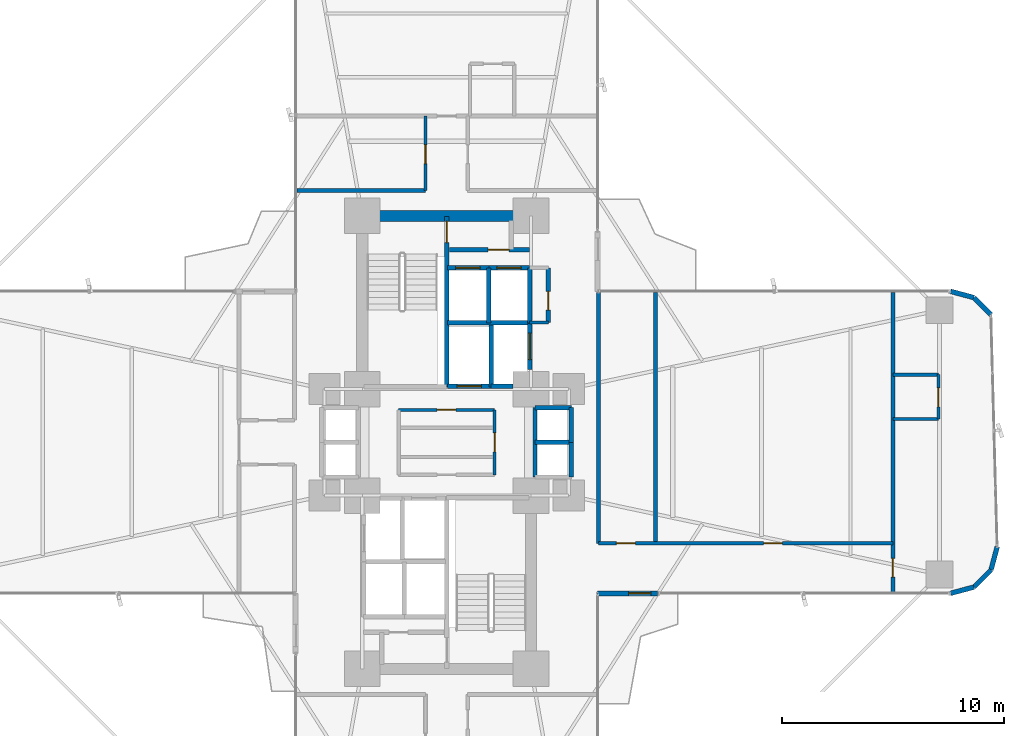
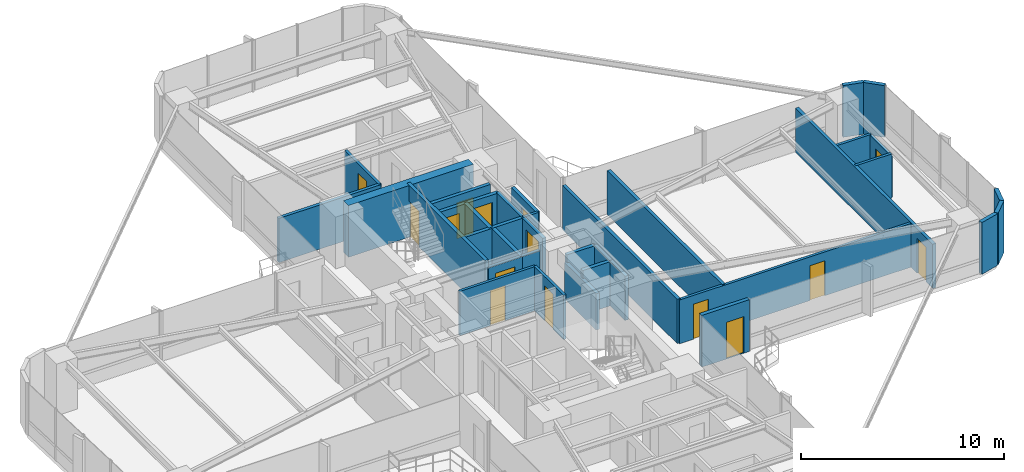
# One storey, part 23 of 25: 36 walls, 15 doors, 15 openings.
"""IFC4 building model written with IfcOpenShell, lengths in metres."""

from ifc_helpers import new_model, si_unit, direction, frame, frame_2d, origin, origin_2d, place, context, subcontext, project, spatial, rectangle, extrude, source, transform, mapped, material, layer, layer_set, type_object, element, fill, save


model = new_model("IFC4")

# Units and contexts
model_context = context("Model", 3, precision=1e-05, world=origin(), true_north=direction((0.0, 1.0)))
body_context = subcontext(model_context, "Body", "Model", "MODEL_VIEW")
ifc_project = project(units=[si_unit("LENGTHUNIT", "METRE"), si_unit("AREAUNIT", "SQUARE_METRE"), si_unit("VOLUMEUNIT", "CUBIC_METRE"), si_unit("PLANEANGLEUNIT", "RADIAN"), si_unit("MASSUNIT", "GRAM", prefix="KILO")], contexts=[model_context])

# Site, building, storey
site_placement = place(None, origin())
site = spatial("IfcSite", under=ifc_project, at=site_placement, CompositionType="ELEMENT")
building_placement = place(site_placement, origin())
building = spatial("IfcBuilding", under=site, at=building_placement, Name="Sahyath Konkavel Grand Hotel", CompositionType="ELEMENT")
storey_placement = place(building_placement, frame((0.0, 0.0, 64.449951171875)))
storey = spatial("IfcBuildingStorey", under=building, at=storey_placement, Name="L17", CompositionType="ELEMENT", Elevation=64.449951171875)

# Wall
ifc_material_1 = material(Name="Concrete C70/85", Category="concrete")
ifc_layer_1 = layer(ifc_material_1, 0.5)
ifc_layer_set_1 = layer_set([ifc_layer_1], Name="Concrete C70/85")
wall_type_1 = type_object("IfcWallType", Name="CWALL-500", PredefinedType="SHEAR", material=ifc_layer_set_1)
wall_1_placement = place(storey_placement, frame((-3.550048828125, 10.199951171875, 0.0), z_axis=(0.0, 0.0, 1.0), x_axis=(1.0, 0.0, 0.0)))
element("IfcWall", 1, at=wall_1_placement, inside=storey, type_object=wall_type_1, Name="L17 North Core Shear Wall N", PredefinedType="SHEAR", context=body_context, shape_type="SweptSolid", body=[
    extrude(rectangle(XDim=7.10009765625, YDim=0.5, at=frame_2d((3.550048828125, 0.0))), origin(), (0.0, 0.0, 1.0), 3.110107421875),
])

# Wall, opening, door
ifc_material_2 = material(Name="Warm Buff Sandstone Insulated Concrete C40/50", Category="masonry")
ifc_layer_2 = layer(ifc_material_2, 0.219970703125)
ifc_layer_set_2 = layer_set([ifc_layer_2], Name="Warm Buff Sandstone Insulated Concrete C40/50")
wall_type_2 = type_object("IfcWallType", Name="WLL-BALC-THRESH", PredefinedType="STANDARD", material=ifc_layer_set_2)
wall_2_placement = place(storey_placement, frame((6.800048828125, -6.800048828125, 0.0), z_axis=(0.0, 0.0, 1.0), x_axis=(1.0, 0.0, 0.0)))
wall_2 = element("IfcWall", 2, at=wall_2_placement, inside=storey, type_object=wall_type_2, Name="L17 Winter-Garden Threshold Wall 0", PredefinedType="STANDARD", context=body_context, shape_type="SweptSolid", body=[
    extrude(rectangle(XDim=2.699951171875, YDim=0.219970703125, at=frame_2d((1.35009765625, 0.0))), origin(), (0.0, 0.0, 1.0), 3.110107421875),
])
opening_1_placement = place(wall_2_placement, frame((1.39990234375, 0.0, 0.0)))
opening_1 = element("IfcOpeningElement", 3, at=opening_1_placement, cuts=wall_2, Name="Opening D-TR1", PredefinedType="OPENING", context=body_context, shape_type="SweptSolid", body=[
    extrude(rectangle(XDim=1.0, YDim=2.199951171875, at=frame_2d((0.5, 1.10009765625))), frame((0.0, 0.1201171875, 0.0), z_axis=(0.0, -1.0, 0.0), x_axis=(1.0, 0.0, 0.0)), (0.0, 0.0, 1.0), 0.239990234375),
])
ifc_material_3 = material(Name="Anodised Bronze Aluminium & Low-E Glazing", Category="aluminium")
door_type_1 = type_object("IfcDoorType", Name="DR-TERRACE-1000", OperationType="NOTDEFINED", PredefinedType="DOOR", material=ifc_material_3)
shared_shape_1 = source(origin(), body_context, "Body", "SweptSolid", [
    extrude(rectangle(XDim=1.0, YDim=0.050048828125, at=origin_2d()), origin(), (0.0, 0.0, 1.0), 2.199951171875),
])
door_1_placement = place(opening_1_placement, frame((0.5, 0.0, 0.0)))
door_1 = element("IfcDoor", 4, at=door_1_placement, inside=storey, type_object=door_type_1, Name="L17 Winter-Garden Terrace Door 0", OperationType="SINGLE_SWING_LEFT", OverallHeight=2.199951171875, OverallWidth=1.0, PredefinedType="DOOR", context=body_context, shape_type="MappedRepresentation", body=[
    mapped(shared_shape_1, transform((0.0, 0.0, 0.0), scale=1.0)),
])
fill(opening_1, door_1)

# Walls
for number, where, z_axis, x_axis, name in (
    (5, (22.699951171875, -6.800048828125, 0.0), (0.0, 0.0, 1.0), (0.965951058412, 0.25872485917, 0.0), "L17 Rounded Corner Sandstone Pier 1"),
    (6, (23.75, -6.518798828125, 0.0), (0.0, 0.0, 1.0), (0.707106781187, 0.707106781187, 0.0), "L17 Rounded Corner Sandstone Pier 2"),
    (7, (24.518798828125, -5.75, 0.0), (0.0, 0.0, 1.0), (0.25872485917, 0.965951058412, 0.0), "L17 Rounded Corner Sandstone Pier 3"),
    (8, (24.518798828125, 5.75, 0.0), (0.0, 0.0, 1.0), (-0.707106781187, 0.707106781187, 0.0), "L17 Rounded Corner Sandstone Pier 5"),
    (9, (23.75, 6.518798828125, 0.0), (0.0, 0.0, 1.0), (-0.965951058412, 0.25872485917, 0.0), "L17 Rounded Corner Sandstone Pier 6"),
):
    element("IfcWall", number, at=place(storey_placement, frame(where, z_axis=z_axis, x_axis=x_axis)), inside=storey, type_object=wall_type_2, Name=name, PredefinedType="STANDARD", context=body_context, shape_type="SweptSolid", body=[
        extrude(rectangle(XDim=1.087158203125, YDim=0.219970703125, at=frame_2d((0.54345703125, 0.0))), origin(), (0.0, 0.0, 1.0), 3.110107421875),
    ])

# Wall, opening, door
ifc_material_4 = material(Name="Concrete C40/50", Category="concrete")
ifc_layer_3 = layer(ifc_material_4, 0.199951171875)
ifc_layer_set_3 = layer_set([ifc_layer_3], Name="Concrete C40/50")
wall_type_3 = type_object("IfcWallType", Name="WLL-CORE-200", PredefinedType="SOLIDWALL", material=ifc_layer_set_3)
wall_3_placement = place(storey_placement, frame((0.0, 2.5, 0.0), z_axis=(0.0, 0.0, 1.0), x_axis=(0.0, 1.0, 0.0)))
wall_3 = element("IfcWall", 10, at=wall_3_placement, inside=storey, type_object=wall_type_3, Name="L17 Stair ST-1 Shaft Wall E", PredefinedType="SOLIDWALL", context=body_context, shape_type="SweptSolid", body=[
    extrude(rectangle(XDim=7.679931640625, YDim=0.199951171875, at=frame_2d((3.83984375, 0.0))), origin(), (0.0, 0.0, 1.0), 3.110107421875),
])
opening_2_placement = place(wall_3_placement, frame((6.5, 0.0, 0.0)))
opening_2 = element("IfcOpeningElement", 11, at=opening_2_placement, cuts=wall_3, Name="Opening D-F12C", PredefinedType="OPENING", context=body_context, shape_type="SweptSolid", body=[
    extrude(rectangle(XDim=0.949951171875, YDim=2.14990234375, at=frame_2d((0.47509765625, 1.074951171875))), frame((0.0, 0.10986328125, 0.0), z_axis=(0.0, -1.0, 0.0), x_axis=(1.0, 0.0, 0.0)), (0.0, 0.0, 1.0), 0.219970703125),
])
ifc_material_5 = material(Name="Steel E350 Plant Fire Door", Category="steel")
door_type_2 = type_object("IfcDoorType", Name="DR-FD120-950", OperationType="NOTDEFINED", PredefinedType="DOOR", material=ifc_material_5)
shared_shape_2 = source(origin(), body_context, "Body", "SweptSolid", [
    extrude(rectangle(XDim=0.949951171875, YDim=0.050048828125, at=origin_2d()), origin(), (0.0, 0.0, 1.0), 2.14990234375),
])
door_2_placement = place(opening_2_placement, frame((0.47509765625, 0.0, 0.0)))
door_2 = element("IfcDoor", 12, at=door_2_placement, inside=storey, type_object=door_type_2, Name="L17 Stair ST-1 Fire Door", OperationType="SINGLE_SWING_LEFT", OverallHeight=2.14990234375, OverallWidth=0.949951171875, PredefinedType="DOOR", context=body_context, shape_type="MappedRepresentation", body=[
    mapped(shared_shape_2, transform((0.0, 0.0, 0.0), scale=1.0)),
])
fill(opening_2, door_2)

# Wall
wall_4_placement = place(storey_placement, frame((2.0, 2.5, 0.0), z_axis=(0.0, 0.0, 1.0), x_axis=(0.0, 1.0, 0.0)))
element("IfcWall", 13, at=wall_4_placement, inside=storey, type_object=wall_type_3, Name="L17 Partition SH-FFL1-E", PredefinedType="SOLIDWALL", context=body_context, shape_type="SweptSolid", body=[
    extrude(rectangle(XDim=2.780029296875, YDim=0.199951171875, at=frame_2d((1.39013671875, 0.0))), origin(), (0.0, 0.0, 1.0), 2.66015625),
])

# Wall, opening, door
wall_5_placement = place(storey_placement, frame((0.050048828125, 2.52001953125, 0.0), z_axis=(0.0, 0.0, 1.0), x_axis=(1.0, 0.0, 0.0)))
wall_5 = element("IfcWall", 14, at=wall_5_placement, inside=storey, type_object=wall_type_3, Name="L17 Partition SH-FFL1-S", PredefinedType="SOLIDWALL", context=body_context, shape_type="SweptSolid", body=[
    extrude(rectangle(XDim=1.949951171875, YDim=0.199951171875, at=frame_2d((0.97509765625, 0.0))), origin(), (0.0, 0.0, 1.0), 2.66015625),
])
opening_3_placement = place(wall_5_placement, frame((0.419921875, 0.0, 0.0)))
opening_3 = element("IfcOpeningElement", 15, at=opening_3_placement, cuts=wall_5, Name="Opening LD-11", PredefinedType="OPENING", context=body_context, shape_type="SweptSolid", body=[
    extrude(rectangle(XDim=1.10009765625, YDim=2.199951171875, at=frame_2d((0.550048828125, 1.10009765625))), frame((0.0, 0.10986328125, 0.0), z_axis=(0.0, -1.0, 0.0), x_axis=(1.0, 0.0, 0.0)), (0.0, 0.0, 1.0), 0.219970703125),
])
ifc_material_6 = material(Name="Bronze Lift Landing Door 1100")
door_type_3 = type_object("IfcDoorType", Name="DR-LIFT-1100", OperationType="DOUBLE_DOOR_SLIDING", PredefinedType="DOOR", material=ifc_material_6)
shared_shape_3 = source(origin(), body_context, "Body", "SweptSolid", [
    extrude(rectangle(XDim=1.10009765625, YDim=0.050048828125, at=origin_2d()), origin(), (0.0, 0.0, 1.0), 2.199951171875),
])
door_3_placement = place(opening_3_placement, frame((0.550048828125, 0.0, 0.0)))
door_3 = element("IfcDoor", 16, at=door_3_placement, inside=storey, type_object=door_type_3, Name="L17 Lift FFL-1 Landing Door", OperationType="DOUBLE_DOOR_SLIDING", OverallHeight=2.199951171875, OverallWidth=1.10009765625, PredefinedType="DOOR", context=body_context, shape_type="MappedRepresentation", body=[
    mapped(shared_shape_3, transform((0.0, 0.0, 0.0), scale=1.0)),
])
fill(opening_3, door_3)

# Wall
wall_6_placement = place(storey_placement, frame((2.0, 2.52001953125, 0.0), z_axis=(0.0, 0.0, 1.0), x_axis=(1.0, 0.0, 0.0)))
element("IfcWall", 17, at=wall_6_placement, inside=storey, type_object=wall_type_3, Name="L17 Partition SH-SVL1-S", PredefinedType="SOLIDWALL", context=body_context, shape_type="SweptSolid", body=[
    extrude(rectangle(XDim=1.0, YDim=0.199951171875, at=frame_2d((0.5, 0.0))), origin(), (0.0, 0.0, 1.0), 2.66015625),
])

# Wall, opening, door
wall_7_placement = place(storey_placement, frame((3.739990234375, 3.280029296875, 0.0), z_axis=(0.0, 0.0, 1.0), x_axis=(0.0, 1.0, 0.0)))
wall_7 = element("IfcWall", 18, at=wall_7_placement, inside=storey, type_object=wall_type_3, Name="L17 Partition SH-SVL1-E", PredefinedType="SOLIDWALL", context=body_context, shape_type="SweptSolid", body=[
    extrude(rectangle(XDim=2.080078125, YDim=0.199951171875, at=frame_2d((1.0400390625, 0.0))), origin(), (0.0, 0.0, 1.0), 2.66015625),
])
opening_4_placement = place(wall_7_placement, frame((0.43994140625, 0.0, 0.0)))
opening_4 = element("IfcOpeningElement", 19, at=opening_4_placement, cuts=wall_7, Name="Opening LD-12", PredefinedType="OPENING", context=body_context, shape_type="SweptSolid", body=[
    extrude(rectangle(XDim=1.199951171875, YDim=2.199951171875, at=frame_2d((0.60009765625, 1.10009765625))), frame((0.0, 0.10986328125, 0.0), z_axis=(0.0, -1.0, 0.0), x_axis=(1.0, 0.0, 0.0)), (0.0, 0.0, 1.0), 0.219970703125),
])
ifc_material_7 = material(Name="Stainless Steel Lift Landing Door 1200", Category="steel")
door_type_4 = type_object("IfcDoorType", Name="DR-LIFT-1200", OperationType="DOUBLE_DOOR_SLIDING", PredefinedType="DOOR", material=ifc_material_7)
shared_shape_4 = source(origin(), body_context, "Body", "SweptSolid", [
    extrude(rectangle(XDim=1.199951171875, YDim=0.050048828125, at=origin_2d()), origin(), (0.0, 0.0, 1.0), 2.199951171875),
])
door_4_placement = place(opening_4_placement, frame((0.60009765625, 0.0, 0.0)))
door_4 = element("IfcDoor", 20, at=door_4_placement, inside=storey, type_object=door_type_4, Name="L17 Service Lift SVL-1 Landing Door", OperationType="DOUBLE_DOOR_SLIDING", OverallHeight=2.199951171875, OverallWidth=1.199951171875, PredefinedType="DOOR", context=body_context, shape_type="MappedRepresentation", body=[
    mapped(shared_shape_4, transform((0.0, 0.0, 0.0), scale=1.0)),
])
fill(opening_4, door_4)

# Walls
wall_8_placement = place(storey_placement, frame((0.050048828125, 5.3798828125, 0.0), z_axis=(0.0, 0.0, 1.0), x_axis=(1.0, 0.0, 0.0)))
element("IfcWall", 21, at=wall_8_placement, inside=storey, type_object=wall_type_3, Name="L17 Partition SH-PL12-S", PredefinedType="SOLIDWALL", context=body_context, shape_type="SweptSolid", body=[
    extrude(rectangle(XDim=3.68994140625, YDim=0.199951171875, at=frame_2d((1.844970703125, 0.0))), origin(), (0.0, 0.0, 1.0), 2.66015625),
])
wall_9_placement = place(storey_placement, frame((1.89990234375, 5.3798828125, 0.0), z_axis=(0.0, 0.0, 1.0), x_axis=(0.0, 1.0, 0.0)))
element("IfcWall", 22, at=wall_9_placement, inside=storey, type_object=wall_type_3, Name="L17 Partition SH-PL12-M", PredefinedType="SOLIDWALL", context=body_context, shape_type="SweptSolid", body=[
    extrude(rectangle(XDim=2.480224609375, YDim=0.199951171875, at=frame_2d((1.240234375, 0.0))), origin(), (0.0, 0.0, 1.0), 2.66015625),
])

# Wall, opening, door
wall_10_placement = place(storey_placement, frame((0.050048828125, 7.860107421875, 0.0), z_axis=(0.0, 0.0, 1.0), x_axis=(1.0, 0.0, 0.0)))
wall_10 = element("IfcWall", 23, at=wall_10_placement, inside=storey, type_object=wall_type_3, Name="L17 Partition SH-PL1-N", PredefinedType="SOLIDWALL", context=body_context, shape_type="SweptSolid", body=[
    extrude(rectangle(XDim=1.849853515625, YDim=0.199951171875, at=frame_2d((0.9248046875, 0.0))), origin(), (0.0, 0.0, 1.0), 2.66015625),
])
opening_5_placement = place(wall_10_placement, frame((0.360107421875, 0.0, 0.0)))
opening_5 = element("IfcOpeningElement", 24, at=opening_5_placement, cuts=wall_10, Name="Opening LD-11", PredefinedType="OPENING", context=body_context, shape_type="SweptSolid", body=[
    extrude(rectangle(XDim=1.10009765625, YDim=2.199951171875, at=frame_2d((0.550048828125, 1.10009765625))), frame((0.0, 0.10986328125, 0.0), z_axis=(0.0, -1.0, 0.0), x_axis=(1.0, 0.0, 0.0)), (0.0, 0.0, 1.0), 0.219970703125),
])
door_5_placement = place(opening_5_placement, frame((0.550048828125, 0.0, 0.0)))
door_5 = element("IfcDoor", 25, at=door_5_placement, inside=storey, type_object=door_type_3, Name="L17 Passenger Lift PL-1 Landing Door", OperationType="DOUBLE_DOOR_SLIDING", OverallHeight=2.199951171875, OverallWidth=1.10009765625, PredefinedType="DOOR", context=body_context, shape_type="MappedRepresentation", body=[
    mapped(shared_shape_3, transform((0.0, 0.0, 0.0), scale=1.0)),
])
fill(opening_5, door_5)

# Wall
wall_11_placement = place(storey_placement, frame((3.739990234375, 5.3798828125, 0.0), z_axis=(0.0, 0.0, 1.0), x_axis=(0.0, 1.0, 0.0)))
element("IfcWall", 26, at=wall_11_placement, inside=storey, type_object=wall_type_3, Name="L17 Partition SH-PL2-E", PredefinedType="SOLIDWALL", context=body_context, shape_type="SweptSolid", body=[
    extrude(rectangle(XDim=2.480224609375, YDim=0.199951171875, at=frame_2d((1.240234375, 0.0))), origin(), (0.0, 0.0, 1.0), 2.66015625),
])

# Wall, opening, door
wall_12_placement = place(storey_placement, frame((1.89990234375, 7.860107421875, 0.0), z_axis=(0.0, 0.0, 1.0), x_axis=(1.0, 0.0, 0.0)))
wall_12 = element("IfcWall", 27, at=wall_12_placement, inside=storey, type_object=wall_type_3, Name="L17 Partition SH-PL2-N", PredefinedType="SOLIDWALL", context=body_context, shape_type="SweptSolid", body=[
    extrude(rectangle(XDim=1.840087890625, YDim=0.199951171875, at=frame_2d((0.919921875, 0.0))), origin(), (0.0, 0.0, 1.0), 2.66015625),
])
opening_6_placement = place(wall_12_placement, frame((0.360107421875, 0.0, 0.0)))
opening_6 = element("IfcOpeningElement", 28, at=opening_6_placement, cuts=wall_12, Name="Opening LD-11", PredefinedType="OPENING", context=body_context, shape_type="SweptSolid", body=[
    extrude(rectangle(XDim=1.10009765625, YDim=2.199951171875, at=frame_2d((0.550048828125, 1.10009765625))), frame((0.0, 0.10986328125, 0.0), z_axis=(0.0, -1.0, 0.0), x_axis=(1.0, 0.0, 0.0)), (0.0, 0.0, 1.0), 0.219970703125),
])
door_6_placement = place(opening_6_placement, frame((0.550048828125, 0.0, 0.0)))
door_6 = element("IfcDoor", 29, at=door_6_placement, inside=storey, type_object=door_type_3, Name="L17 Passenger Lift PL-2 Landing Door", OperationType="DOUBLE_DOOR_SLIDING", OverallHeight=2.199951171875, OverallWidth=1.10009765625, PredefinedType="DOOR", context=body_context, shape_type="MappedRepresentation", body=[
    mapped(shared_shape_3, transform((0.0, 0.0, 0.0), scale=1.0)),
])
fill(opening_6, door_6)

# Walls
wall_13_placement = place(storey_placement, frame((3.97998046875, -1.56005859375, 0.0), z_axis=(0.0, 0.0, 1.0), x_axis=(0.0, 1.0, 0.0)))
element("IfcWall", 30, at=wall_13_placement, inside=storey, type_object=wall_type_3, Name="L17 Partition SH-PL56-W", PredefinedType="SOLIDWALL", context=body_context, shape_type="SweptSolid", body=[
    extrude(rectangle(XDim=3.1201171875, YDim=0.199951171875, at=frame_2d((1.56005859375, 0.0))), origin(), (0.0, 0.0, 1.0), 2.179931640625),
])
for number, where, z_axis, x_axis, name in (
    (31, (3.97998046875, 1.56005859375, 0.0), (0.0, 0.0, 1.0), (1.0, 0.0, 0.0), "L17 Partition SH-PL56-N"),
    (32, (3.97998046875, 0.0, 0.0), (0.0, 0.0, 1.0), (1.0, 0.0, 0.0), "L17 Partition SH-PL56-M"),
):
    element("IfcWall", number, at=place(storey_placement, frame(where, z_axis=z_axis, x_axis=x_axis)), inside=storey, type_object=wall_type_3, Name=name, PredefinedType="SOLIDWALL", context=body_context, shape_type="SweptSolid", body=[
        extrude(rectangle(XDim=1.64013671875, YDim=0.199951171875, at=frame_2d((0.820068359375, 0.0))), origin(), (0.0, 0.0, 1.0), 2.66015625),
    ])
for number, where, z_axis, x_axis, name in (
    (33, (5.6201171875, 0.0, 0.0), (0.0, 0.0, 1.0), (0.0, 1.0, 0.0), "L17 Partition SH-PL5-E"),
    (34, (5.6201171875, -1.56005859375, 0.0), (0.0, 0.0, 1.0), (0.0, 1.0, 0.0), "L17 Partition SH-PL6-E"),
):
    element("IfcWall", number, at=place(storey_placement, frame(where, z_axis=z_axis, x_axis=x_axis)), inside=storey, type_object=wall_type_3, Name=name, PredefinedType="SOLIDWALL", context=body_context, shape_type="SweptSolid", body=[
        extrude(rectangle(XDim=1.56005859375, YDim=0.199951171875, at=frame_2d((0.780029296875, 0.0))), origin(), (0.0, 0.0, 1.0), 2.66015625),
    ])

# Wall, opening, door
wall_14_placement = place(storey_placement, frame((0.1201171875, 8.679931640625, 0.0), z_axis=(0.0, 0.0, 1.0), x_axis=(1.0, 0.0, 0.0)))
wall_14 = element("IfcWall", 35, at=wall_14_placement, inside=storey, type_object=wall_type_3, Name="L17 North FF Lobby Separation Wall", PredefinedType="SOLIDWALL", context=body_context, shape_type="SweptSolid", body=[
    extrude(rectangle(XDim=3.619873046875, YDim=0.199951171875, at=frame_2d((1.81005859375, 0.0))), origin(), (0.0, 0.0, 1.0), 2.66015625),
])
opening_7_placement = place(wall_14_placement, frame((1.75, 0.0, 0.0)))
opening_7 = element("IfcOpeningElement", 36, at=opening_7_placement, cuts=wall_14, Name="Opening D-F12C", PredefinedType="OPENING", context=body_context, shape_type="SweptSolid", body=[
    extrude(rectangle(XDim=0.949951171875, YDim=2.14990234375, at=frame_2d((0.47509765625, 1.074951171875))), frame((0.0, 0.10986328125, 0.0), z_axis=(0.0, -1.0, 0.0), x_axis=(1.0, 0.0, 0.0)), (0.0, 0.0, 1.0), 0.219970703125),
])
door_7_placement = place(opening_7_placement, frame((0.47509765625, 0.0, 0.0)))
door_7 = element("IfcDoor", 37, at=door_7_placement, inside=storey, type_object=door_type_2, Name="L17 North Firefighting Lobby Door", OperationType="SINGLE_SWING_RIGHT", OverallHeight=2.14990234375, OverallWidth=0.949951171875, PredefinedType="DOOR", context=body_context, shape_type="MappedRepresentation", body=[
    mapped(shared_shape_2, transform((0.0, 0.0, 0.0), scale=1.0)),
])
fill(opening_7, door_7)

wall_15_placement = place(storey_placement, frame((4.580078125, 5.39990234375, 0.0), z_axis=(0.0, 0.0, 1.0), x_axis=(0.0, 1.0, 0.0)))
wall_15 = element("IfcWall", 38, at=wall_15_placement, inside=storey, type_object=wall_type_3, Name="L17 Partition NC-FLK-E", PredefinedType="SOLIDWALL", context=body_context, shape_type="SweptSolid", body=[
    extrude(rectangle(XDim=2.460205078125, YDim=0.199951171875, at=frame_2d((1.22998046875, 0.0))), origin(), (0.0, 0.0, 1.0), 2.66015625),
])
opening_8_placement = place(wall_15_placement, frame((0.550048828125, 0.0, 0.0)))
opening_8 = element("IfcOpeningElement", 39, at=opening_8_placement, cuts=wall_15, Name="Opening D-F06D", PredefinedType="OPENING", context=body_context, shape_type="SweptSolid", body=[
    extrude(rectangle(XDim=0.85009765625, YDim=2.10009765625, at=frame_2d((0.425048828125, 1.050048828125))), frame((0.0, 0.10986328125, 0.0), z_axis=(0.0, -1.0, 0.0), x_axis=(1.0, 0.0, 0.0)), (0.0, 0.0, 1.0), 0.219970703125),
])
ifc_material_8 = material(Name="Fire-Rated Shaft Access Door")
door_type_5 = type_object("IfcDoorType", Name="DR-FD60-850", OperationType="NOTDEFINED", PredefinedType="DOOR", material=ifc_material_8)
shared_shape_5 = source(origin(), body_context, "Body", "SweptSolid", [
    extrude(rectangle(XDim=0.85009765625, YDim=0.050048828125, at=origin_2d()), origin(), (0.0, 0.0, 1.0), 2.10009765625),
])
door_8_placement = place(opening_8_placement, frame((0.425048828125, 0.0, 0.0)))
door_8 = element("IfcDoor", 40, at=door_8_placement, inside=storey, type_object=door_type_5, Name="L17 Door NC-FLK1-D", OperationType="SINGLE_SWING_LEFT", OverallHeight=2.10009765625, OverallWidth=0.85009765625, PredefinedType="DOOR", context=body_context, shape_type="MappedRepresentation", body=[
    mapped(shared_shape_5, transform((0.0, 0.0, 0.0), scale=1.0)),
])
fill(opening_8, door_8)

# Walls
ifc_material_9 = material(Name="Twin-Stud Acoustic Gypsum Plasterboard Partition")
ifc_layer_4 = layer(ifc_material_9, 0.179931640625)
ifc_layer_set_4 = layer_set([ifc_layer_4], Name="Twin-Stud Acoustic Gypsum Plasterboard Partition")
wall_type_4 = type_object("IfcWallType", Name="WLL-DEMISE-180", PredefinedType="PARTITIONING", material=ifc_layer_set_4)
for number, where, z_axis, x_axis, name in (
    (41, (6.85009765625, -4.550048828125, 0.0), (0.0, 0.0, 1.0), (0.0, 1.0, 0.0), "L17 Partition E-G6I"),
    (42, (9.39990234375, -4.550048828125, 0.0), (0.0, 0.0, 1.0), (0.0, 1.0, 0.0), "L17 Partition E-EHK-DEM"),
):
    element("IfcWall", number, at=place(storey_placement, frame(where, z_axis=z_axis, x_axis=x_axis)), inside=storey, type_object=wall_type_4, Name=name, PredefinedType="PARTITIONING", context=body_context, shape_type="SweptSolid", body=[
        extrude(rectangle(XDim=11.300048828125, YDim=0.179931640625, at=frame_2d((5.64990234375, 0.0))), origin(), (0.0, 0.0, 1.0), 2.66015625),
    ])

# Wall, opening, door
wall_16_placement = place(storey_placement, frame((20.10009765625, -6.75, 0.0), z_axis=(0.0, 0.0, 1.0), x_axis=(0.0, 1.0, 0.0)))
wall_16 = element("IfcWall", 43, at=wall_16_placement, inside=storey, type_object=wall_type_4, Name="L17 Partition E-ETIP-END", PredefinedType="PARTITIONING", context=body_context, shape_type="SweptSolid", body=[
    extrude(rectangle(XDim=13.5, YDim=0.179931640625, at=frame_2d((6.75, 0.0))), origin(), (0.0, 0.0, 1.0), 2.66015625),
])
opening_9_placement = place(wall_16_placement, frame((0.675048828125, 0.0, 0.0)))
opening_9 = element("IfcOpeningElement", 44, at=opening_9_placement, cuts=wall_16, Name="Opening D-F06D", PredefinedType="OPENING", context=body_context, shape_type="SweptSolid", body=[
    extrude(rectangle(XDim=0.85009765625, YDim=2.10009765625, at=frame_2d((0.425048828125, 1.050048828125))), frame((0.0, 0.10009765625, 0.0), z_axis=(0.0, -1.0, 0.0), x_axis=(1.0, 0.0, 0.0)), (0.0, 0.0, 1.0), 0.199951171875),
])
door_9_placement = place(opening_9_placement, frame((0.425048828125, 0.0, 0.0)))
door_9 = element("IfcDoor", 45, at=door_9_placement, inside=storey, type_object=door_type_5, Name="L17 Door E-ETIP-ED", OperationType="SINGLE_SWING_RIGHT", OverallHeight=2.10009765625, OverallWidth=0.85009765625, PredefinedType="DOOR", context=body_context, shape_type="MappedRepresentation", body=[
    mapped(shared_shape_5, transform((0.0, 0.0, 0.0), scale=1.0)),
])
fill(opening_9, door_9)

# Walls
wall_17_placement = place(storey_placement, frame((-0.949951171875, 11.35009765625, 0.0), z_axis=(0.0, 0.0, 1.0), x_axis=(-1.0, 0.0, 0.0)))
element("IfcWall", 46, at=wall_17_placement, inside=storey, type_object=wall_type_4, Name="L17 Partition N-INL", PredefinedType="PARTITIONING", context=body_context, shape_type="SweptSolid", body=[
    extrude(rectangle(XDim=5.800048828125, YDim=0.179931640625, at=frame_2d((2.89990234375, 0.0))), origin(), (0.0, 0.0, 1.0), 2.66015625),
])
ifc_material_10 = material(Name="Fire-Rated Gypsum Plasterboard Partition")
ifc_layer_5 = layer(ifc_material_10, 0.14990234375)
ifc_layer_set_5 = layer_set([ifc_layer_5], Name="Fire-Rated Gypsum Plasterboard Partition")
wall_type_5 = type_object("IfcWallType", Name="WLL-PART-150", PredefinedType="PARTITIONING", material=ifc_layer_set_5)
wall_18_placement = place(storey_placement, frame((3.739990234375, 5.39990234375, 0.0), z_axis=(0.0, 0.0, 1.0), x_axis=(1.0, 0.0, 0.0)))
element("IfcWall", 47, at=wall_18_placement, inside=storey, type_object=wall_type_5, Name="L17 Partition NC-FLK-S", PredefinedType="PARTITIONING", context=body_context, shape_type="SweptSolid", body=[
    extrude(rectangle(XDim=0.840087890625, YDim=0.14990234375, at=frame_2d((0.419921875, 0.0))), origin(), (0.0, 0.0, 1.0), 2.66015625),
])

# Wall, opening, door
wall_19_placement = place(storey_placement, frame((2.159912109375, -1.4599609375, 0.0), z_axis=(0.0, 0.0, 1.0), x_axis=(0.0, 1.0, 0.0)))
wall_19 = element("IfcWall", 48, at=wall_19_placement, inside=storey, type_object=wall_type_5, Name="L17 Partition CC-2E", PredefinedType="PARTITIONING", context=body_context, shape_type="SweptSolid", body=[
    extrude(rectangle(XDim=2.919921875, YDim=0.14990234375, at=frame_2d((1.4599609375, 0.0))), origin(), (0.0, 0.0, 1.0), 2.66015625),
])
opening_10_placement = place(wall_19_placement, frame((1.034912109375, 0.0, 0.0)))
opening_10 = element("IfcOpeningElement", 49, at=opening_10_placement, cuts=wall_19, Name="Opening D-F06D", PredefinedType="OPENING", context=body_context, shape_type="SweptSolid", body=[
    extrude(rectangle(XDim=0.85009765625, YDim=2.10009765625, at=frame_2d((0.425048828125, 1.050048828125))), frame((0.0, 0.0849609375, 0.0), z_axis=(0.0, -1.0, 0.0), x_axis=(1.0, 0.0, 0.0)), (0.0, 0.0, 1.0), 0.169921875),
])
door_10_placement = place(opening_10_placement, frame((0.425048828125, 0.0, 0.0)))
door_10 = element("IfcDoor", 50, at=door_10_placement, inside=storey, type_object=door_type_5, Name="L17 Door CC-D2B", OperationType="SINGLE_SWING_LEFT", OverallHeight=2.10009765625, OverallWidth=0.85009765625, PredefinedType="DOOR", context=body_context, shape_type="MappedRepresentation", body=[
    mapped(shared_shape_5, transform((0.0, 0.0, 0.0), scale=1.0)),
])
fill(opening_10, door_10)

wall_20_placement = place(storey_placement, frame((-2.159912109375, 1.4599609375, 0.0), z_axis=(0.0, 0.0, 1.0), x_axis=(1.0, 0.0, 0.0)))
wall_20 = element("IfcWall", 51, at=wall_20_placement, inside=storey, type_object=wall_type_5, Name="L17 Partition CC-2N", PredefinedType="PARTITIONING", context=body_context, shape_type="SweptSolid", body=[
    extrude(rectangle(XDim=4.31982421875, YDim=0.14990234375, at=frame_2d((2.159912109375, 0.0))), origin(), (0.0, 0.0, 1.0), 2.66015625),
])
opening_11_placement = place(wall_20_placement, frame((1.72998046875, 0.0, 0.0)))
opening_11 = element("IfcOpeningElement", 52, at=opening_11_placement, cuts=wall_20, Name="Opening D-F06D", PredefinedType="OPENING", context=body_context, shape_type="SweptSolid", body=[
    extrude(rectangle(XDim=0.85009765625, YDim=2.10009765625, at=frame_2d((0.425048828125, 1.050048828125))), frame((0.0, 0.0849609375, 0.0), z_axis=(0.0, -1.0, 0.0), x_axis=(1.0, 0.0, 0.0)), (0.0, 0.0, 1.0), 0.169921875),
])
door_11_placement = place(opening_11_placement, frame((0.425048828125, 0.0, 0.0)))
door_11 = element("IfcDoor", 53, at=door_11_placement, inside=storey, type_object=door_type_5, Name="L17 Door CC-D2A", OperationType="SINGLE_SWING_RIGHT", OverallHeight=2.10009765625, OverallWidth=0.85009765625, PredefinedType="DOOR", context=body_context, shape_type="MappedRepresentation", body=[
    mapped(shared_shape_5, transform((0.0, 0.0, 0.0), scale=1.0)),
])
fill(opening_11, door_11)

# Wall, openings, doors
wall_21_placement = place(storey_placement, frame((6.85009765625, -4.550048828125, 0.0), z_axis=(0.0, 0.0, 1.0), x_axis=(1.0, 0.0, 0.0)))
wall_21 = element("IfcWall", 54, at=wall_21_placement, inside=storey, type_object=wall_type_5, Name="L17 Partition E-G6W", PredefinedType="PARTITIONING", context=body_context, shape_type="SweptSolid", body=[
    extrude(rectangle(XDim=13.25, YDim=0.14990234375, at=frame_2d((6.625, 0.0))), origin(), (0.0, 0.0, 1.0), 2.630126953125),
])
opening_12_placement = place(wall_21_placement, frame((0.800048828125, 0.0, 0.0)))
opening_12 = element("IfcOpeningElement", 55, at=opening_12_placement, cuts=wall_21, Name="Opening D-F06D", PredefinedType="OPENING", context=body_context, shape_type="SweptSolid", body=[
    extrude(rectangle(XDim=0.85009765625, YDim=2.10009765625, at=frame_2d((0.425048828125, 1.050048828125))), frame((0.0, 0.0849609375, 0.0), z_axis=(0.0, -1.0, 0.0), x_axis=(1.0, 0.0, 0.0)), (0.0, 0.0, 1.0), 0.169921875),
])
opening_13_placement = place(wall_21_placement, frame((7.425048828125, 0.0, 0.0)))
opening_13 = element("IfcOpeningElement", 56, at=opening_13_placement, cuts=wall_21, Name="Opening D-F06D", PredefinedType="OPENING", context=body_context, shape_type="SweptSolid", body=[
    extrude(rectangle(XDim=0.85009765625, YDim=2.10009765625, at=frame_2d((0.425048828125, 1.050048828125))), frame((0.0, 0.0849609375, 0.0), z_axis=(0.0, -1.0, 0.0), x_axis=(1.0, 0.0, 0.0)), (0.0, 0.0, 1.0), 0.169921875),
])
door_12_placement = place(opening_12_placement, frame((0.425048828125, 0.0, 0.0)))
door_12 = element("IfcDoor", 57, at=door_12_placement, inside=storey, type_object=door_type_5, Name="L17 Door E-EHK-D", OperationType="SINGLE_SWING_LEFT", OverallHeight=2.10009765625, OverallWidth=0.85009765625, PredefinedType="DOOR", context=body_context, shape_type="MappedRepresentation", body=[
    mapped(shared_shape_5, transform((0.0, 0.0, 0.0), scale=1.0)),
])
fill(opening_12, door_12)
door_13_placement = place(opening_13_placement, frame((0.425048828125, 0.0, 0.0)))
door_13 = element("IfcDoor", 58, at=door_13_placement, inside=storey, type_object=door_type_5, Name="L17 Door E-ESL6-D", OperationType="SINGLE_SWING_RIGHT", OverallHeight=2.10009765625, OverallWidth=0.85009765625, PredefinedType="DOOR", context=body_context, shape_type="MappedRepresentation", body=[
    mapped(shared_shape_5, transform((0.0, 0.0, 0.0), scale=1.0)),
])
fill(opening_13, door_13)

# Walls
wall_22_placement = place(storey_placement, frame((20.10009765625, 3.050048828125, 0.0), z_axis=(0.0, 0.0, 1.0), x_axis=(1.0, 0.0, 0.0)))
element("IfcWall", 59, at=wall_22_placement, inside=storey, type_object=wall_type_5, Name="L17 Partition E-ETIP-BN", PredefinedType="PARTITIONING", context=body_context, shape_type="SweptSolid", body=[
    extrude(rectangle(XDim=2.0498046875, YDim=0.14990234375, at=frame_2d((1.02490234375, 0.0))), origin(), (0.0, 0.0, 1.0), 2.630126953125),
])
wall_23_placement = place(storey_placement, frame((20.10009765625, 1.050048828125, 0.0), z_axis=(0.0, 0.0, 1.0), x_axis=(1.0, 0.0, 0.0)))
element("IfcWall", 60, at=wall_23_placement, inside=storey, type_object=wall_type_5, Name="L17 Partition E-ETIP-BS", PredefinedType="PARTITIONING", context=body_context, shape_type="SweptSolid", body=[
    extrude(rectangle(XDim=2.0498046875, YDim=0.14990234375, at=frame_2d((1.02490234375, 0.0))), origin(), (0.0, 0.0, 1.0), 2.66015625),
])

# Wall, opening, door
wall_24_placement = place(storey_placement, frame((22.14990234375, 1.050048828125, 0.0), z_axis=(0.0, 0.0, 1.0), x_axis=(0.0, 1.0, 0.0)))
wall_24 = element("IfcWall", 61, at=wall_24_placement, inside=storey, type_object=wall_type_5, Name="L17 Partition E-ETIP-BE", PredefinedType="PARTITIONING", context=body_context, shape_type="SweptSolid", body=[
    extrude(rectangle(XDim=2.0, YDim=0.14990234375, at=frame_2d((1.0, 0.0))), origin(), (0.0, 0.0, 1.0), 2.580078125),
])
opening_14_placement = place(wall_24_placement, frame((0.550048828125, 0.0, 0.0)))
opening_14 = element("IfcOpeningElement", 62, at=opening_14_placement, cuts=wall_24, Name="Opening D-BT85", PredefinedType="OPENING", context=body_context, shape_type="SweptSolid", body=[
    extrude(rectangle(XDim=0.85009765625, YDim=2.10009765625, at=frame_2d((0.425048828125, 1.050048828125))), frame((0.0, 0.0849609375, 0.0), z_axis=(0.0, -1.0, 0.0), x_axis=(1.0, 0.0, 0.0)), (0.0, 0.0, 1.0), 0.169921875),
])
ifc_material_11 = material(Name="Moisture-Resistant Teak Bathroom Door")
door_type_6 = type_object("IfcDoorType", Name="DR-BATH-850", OperationType="NOTDEFINED", PredefinedType="DOOR", material=ifc_material_11)
door_14_placement = place(opening_14_placement, frame((0.425048828125, 0.0, 0.0)))
door_14 = element("IfcDoor", 63, at=door_14_placement, inside=storey, type_object=door_type_6, Name="L17 Door E-ETIP-BD", OperationType="SINGLE_SWING_LEFT", OverallHeight=2.10009765625, OverallWidth=0.85009765625, PredefinedType="DOOR", context=body_context, shape_type="MappedRepresentation", body=[
    mapped(shared_shape_5, transform((0.0, 0.0, 0.0), scale=1.0)),
])
fill(opening_14, door_14)

wall_25_placement = place(storey_placement, frame((-0.949951171875, 11.35009765625, 0.0), z_axis=(0.0, 0.0, 1.0), x_axis=(0.0, 1.0, 0.0)))
wall_25 = element("IfcWall", 64, at=wall_25_placement, inside=storey, type_object=wall_type_5, Name="L17 Partition N-CL", PredefinedType="PARTITIONING", context=body_context, shape_type="SweptSolid", body=[
    extrude(rectangle(XDim=3.349853515625, YDim=0.14990234375, at=frame_2d((1.6748046875, 0.0))), origin(), (0.0, 0.0, 1.0), 2.66015625),
])
opening_15_placement = place(wall_25_placement, frame((1.199951171875, 0.0, 0.0)))
opening_15 = element("IfcOpeningElement", 65, at=opening_15_placement, cuts=wall_25, Name="Opening D-F06D", PredefinedType="OPENING", context=body_context, shape_type="SweptSolid", body=[
    extrude(rectangle(XDim=0.85009765625, YDim=2.10009765625, at=frame_2d((0.425048828125, 1.050048828125))), frame((0.0, 0.0849609375, 0.0), z_axis=(0.0, -1.0, 0.0), x_axis=(1.0, 0.0, 0.0)), (0.0, 0.0, 1.0), 0.169921875),
])
door_15_placement = place(opening_15_placement, frame((0.425048828125, 0.0, 0.0)))
door_15 = element("IfcDoor", 66, at=door_15_placement, inside=storey, type_object=door_type_5, Name="L17 Door N-NS3L-D", OperationType="SINGLE_SWING_LEFT", OverallHeight=2.10009765625, OverallWidth=0.85009765625, PredefinedType="DOOR", context=body_context, shape_type="MappedRepresentation", body=[
    mapped(shared_shape_5, transform((0.0, 0.0, 0.0), scale=1.0)),
])
fill(opening_15, door_15)

save(model, "model.ifc")
